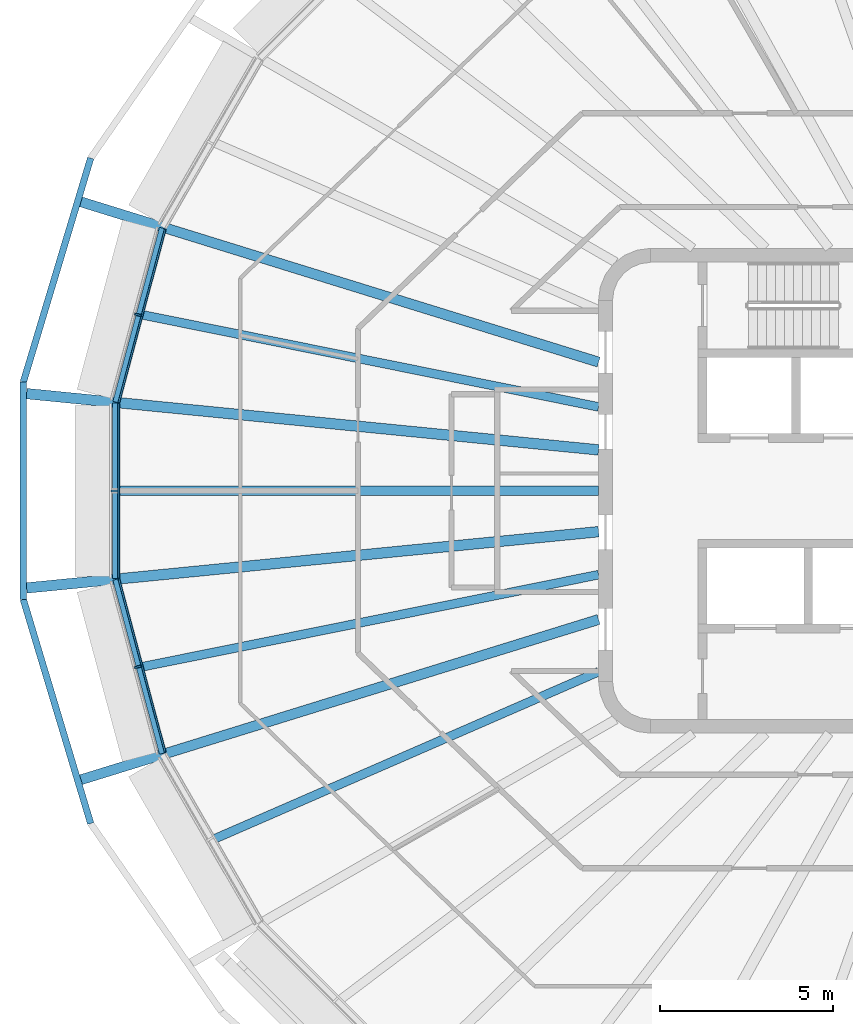
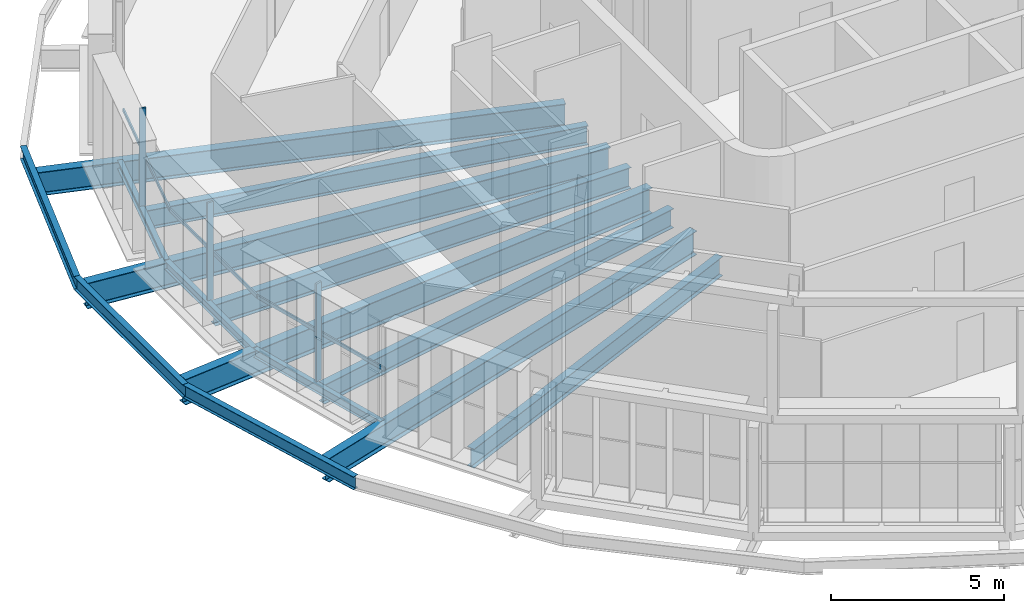
# One storey, part 2 of 18: 14 beams, 6 members, 3 elements without a shape of their own.
"""IFC4 building model written with IfcOpenShell, lengths in metres."""

from ifc_helpers import new_model, si_unit, direction, frame, origin, origin_2d, place, context, subcontext, project, spatial, rectangle, i_section, extrude, material, layer, layer_set, material_profile, profile_set, type_object, element, aggregate, save


model = new_model("IFC4")

# Units and contexts
model_context = context("Model", 3, precision=1e-05, world=origin(), true_north=direction((0.0, 1.0)))
body_context = subcontext(model_context, "Body", "Model", "MODEL_VIEW")
ifc_project = project(units=[si_unit("LENGTHUNIT", "METRE"), si_unit("AREAUNIT", "SQUARE_METRE"), si_unit("VOLUMEUNIT", "CUBIC_METRE"), si_unit("PLANEANGLEUNIT", "RADIAN"), si_unit("MASSUNIT", "GRAM", prefix="KILO")], contexts=[model_context])

# Site, building, storey
site_placement = place(None, origin())
site = spatial("IfcSite", under=ifc_project, at=site_placement, CompositionType="ELEMENT")
building_placement = place(site_placement, origin())
building = spatial("IfcBuilding", under=site, at=building_placement, Name="Sahrelin Media Tower", CompositionType="ELEMENT")
storey_placement = place(building_placement, frame((0.0, 0.0, 308.39990234375)))
storey = spatial("IfcBuildingStorey", under=building, at=storey_placement, Name="L68", CompositionType="ELEMENT", Elevation=308.39990234375)

# Beams
ifc_material_1 = material(Name="Steel S355", Category="steel")
ifc_material_profile_1 = material_profile(ifc_material_1, i_section(OverallWidth=0.1650390625, OverallDepth=0.303466796875, WebThickness=0.006103515625, FlangeThickness=0.01025390625, FilletRadius=0.0087890625, at=origin_2d()), Name="UB 305x165x40")
ifc_profile_set_1 = profile_set([ifc_material_profile_1], Name="Steel S355")
beam_type_1 = type_object("IfcBeamType", Name="Edge beam EB2", PredefinedType="BEAM", material=ifc_profile_set_1)
beam_1_placement = place(storey_placement, frame((-24.598388671875, -7.58642578125, -0.301513671875), z_axis=(-0.258813508265, 0.965927309863, 0.0), x_axis=(-0.965927309863, -0.258813508265, 0.0)))
element("IfcBeam", 1, at=beam_1_placement, inside=storey, type_object=beam_type_1, Name="Edge beam L68-08", PredefinedType="BEAM", context=body_context, shape_type="SweptSolid", body=[
    extrude(i_section(OverallWidth=0.1650390625, OverallDepth=0.303466796875, WebThickness=0.006103515625, FlangeThickness=0.01025390625, FilletRadius=0.0087890625, at=origin_2d()), origin(), (0.0, 0.0, 1.0), 5.201416015625),
])
beam_2_placement = place(storey_placement, frame((-25.948486328125, -2.53369140625, -0.301513671875), z_axis=(0.0, 1.0, 0.0), x_axis=(-1.0, 0.0, 0.0)))
element("IfcBeam", 2, at=beam_2_placement, inside=storey, type_object=beam_type_1, Name="Edge beam L68-09", PredefinedType="BEAM", context=body_context, shape_type="SweptSolid", body=[
    extrude(i_section(OverallWidth=0.1650390625, OverallDepth=0.303466796875, WebThickness=0.006103515625, FlangeThickness=0.01025390625, FilletRadius=0.0087890625, at=origin_2d()), origin(), (0.0, 0.0, 1.0), 5.0673828125),
])
beam_3_placement = place(storey_placement, frame((-25.944580078125, 2.562255859375, -0.301513671875), z_axis=(0.258813508265, 0.965927309863, 0.0), x_axis=(-0.965927309863, 0.258813508265, 0.0)))
element("IfcBeam", 3, at=beam_3_placement, inside=storey, type_object=beam_type_1, Name="Edge beam L68-10", PredefinedType="BEAM", context=body_context, shape_type="SweptSolid", body=[
    extrude(i_section(OverallWidth=0.1650390625, OverallDepth=0.303466796875, WebThickness=0.006103515625, FlangeThickness=0.01025390625, FilletRadius=0.0087890625, at=origin_2d()), origin(), (0.0, 0.0, 1.0), 5.201416015625),
])

# Curtain wall, member
ifc_material_2 = material(Name="Champagne anodised aluminium 6063-T6", Category="aluminium")
ifc_layer = layer(ifc_material_2, 0.14990234375)
ifc_layer_set = layer_set([ifc_layer], Name="Tower ribbon curtain wall")
curtain_wall_type = type_object("IfcCurtainWallType", Name="Tower ribbon curtain wall", PredefinedType="NOTDEFINED", material=ifc_layer_set)
curtain_wall_1_placement = place(storey_placement, frame((-25.41650390625, 5.113037109375, 0.0), z_axis=(0.0, 0.0, 1.0), x_axis=(1.0, 0.0, 0.0)))
curtain_wall_1 = element("IfcCurtainWall", 4, at=curtain_wall_1_placement, inside=storey, type_object=curtain_wall_type, Name="L68:CW:L68-11", PredefinedType="NOTDEFINED")
ifc_material_profile_2 = material_profile(ifc_material_2, rectangle(XDim=0.06005859375, YDim=0.199951171875, at=origin_2d()), Name="Mullion 60x200")
ifc_profile_set_2 = profile_set([ifc_material_profile_2], Name="Champagne anodised aluminium 6063-T6")
member_type_1 = type_object("IfcMemberType", Name="Mullion 60x200 CW1C", PredefinedType="MULLION", material=ifc_profile_set_2)
member_1_placement = place(storey_placement, frame((-25.300537109375, 5.08203125, 0.0), z_axis=(0.0, 0.0, 1.0), x_axis=(-0.258824102675, -0.965924471102, 0.0)))
member_1 = element("IfcMember", 5, at=member_1_placement, type_object=member_type_1, Name="L68:CWM:L68-11", PredefinedType="MULLION", context=body_context, shape_type="SweptSolid", body=[
    extrude(rectangle(XDim=0.06005859375, YDim=0.199951171875, at=origin_2d()), origin(), (0.0, 0.0, 1.0), 3.44873046875),
])

curtain_wall_2_placement = place(storey_placement, frame((-26.098388671875, 0.0, 0.0), z_axis=(0.0, 0.0, 1.0), x_axis=(1.0, 0.0, 0.0)))
curtain_wall_2 = element("IfcCurtainWall", 6, at=curtain_wall_2_placement, inside=storey, type_object=curtain_wall_type, Name="L68:CW:L68-12", PredefinedType="NOTDEFINED")
member_2_placement = place(storey_placement, frame((-25.978515625, 0.0, 0.0), z_axis=(0.0, 0.0, 1.0), x_axis=(0.0, -1.0, 0.0)))
member_2 = element("IfcMember", 7, at=member_2_placement, type_object=member_type_1, Name="L68:CWM:L68-12", PredefinedType="MULLION", context=body_context, shape_type="SweptSolid", body=[
    extrude(rectangle(XDim=0.06005859375, YDim=0.199951171875, at=origin_2d()), origin(), (0.0, 0.0, 1.0), 3.44873046875),
])

curtain_wall_3_placement = place(storey_placement, frame((-25.41650390625, -5.113037109375, 0.0), z_axis=(0.0, 0.0, 1.0), x_axis=(1.0, 0.0, 0.0)))
curtain_wall_3 = element("IfcCurtainWall", 8, at=curtain_wall_3_placement, inside=storey, type_object=curtain_wall_type, Name="L68:CW:L68-13", PredefinedType="NOTDEFINED")
member_3_placement = place(storey_placement, frame((-25.300537109375, -5.08203125, 0.0), z_axis=(0.0, 0.0, 1.0), x_axis=(0.258824102675, -0.965924471102, 0.0)))
member_3 = element("IfcMember", 9, at=member_3_placement, type_object=member_type_1, Name="L68:CWM:L68-13", PredefinedType="MULLION", context=body_context, shape_type="SweptSolid", body=[
    extrude(rectangle(XDim=0.06005859375, YDim=0.199951171875, at=origin_2d()), origin(), (0.0, 0.0, 1.0), 3.44873046875),
])

# Beams
ifc_material_profile_3 = material_profile(ifc_material_1, i_section(OverallWidth=0.291748046875, OverallDepth=0.8349609375, WebThickness=0.013916015625, FlangeThickness=0.018798828125, FilletRadius=0.017822265625, at=origin_2d()), Name="UB 838x292x176")
ifc_profile_set_3 = profile_set([ifc_material_profile_3], Name="Steel S355")
beam_type_2 = type_object("IfcBeamType", Name="Radial primary beam PB10", PredefinedType="BEAM", material=ifc_profile_set_3)
for number, where, z_axis, x_axis, name in (
    (10, (-12.0, 3.71533203125, -0.5673828125), (-0.955257235415, 0.295776290779, 0.0), (-0.295776290779, -0.955257235415, 0.0), "Radial beam L68-11"),
    (11, (-12.0, -3.71533203125, -0.5673828125), (-0.955257235415, -0.295776290779, 0.0), (0.295776290779, -0.955257235415, 0.0), "Radial beam L68-14"),
):
    element("IfcBeam", number, at=place(storey_placement, frame(where, z_axis=z_axis, x_axis=x_axis)), inside=storey, type_object=beam_type_2, Name=name, PredefinedType="BEAM", context=body_context, shape_type="SweptSolid", body=[
        extrude(i_section(OverallWidth=0.291748046875, OverallDepth=0.8349609375, WebThickness=0.013916015625, FlangeThickness=0.018798828125, FilletRadius=0.017822265625, at=origin_2d()), origin(), (0.0, 0.0, 1.0), 15.64501953125),
    ])
ifc_material_profile_4 = material_profile(ifc_material_1, i_section(OverallWidth=0.30322265625, OverallDepth=0.903076171875, WebThickness=0.01513671875, FlangeThickness=0.020263671875, FilletRadius=0.01904296875, at=origin_2d()), Name="UB 914x305x201")
ifc_profile_set_4 = profile_set([ifc_material_profile_4], Name="Steel S355")
beam_type_3 = type_object("IfcBeamType", Name="Radial primary beam PB11", PredefinedType="BEAM", material=ifc_profile_set_4)
for number, where, z_axis, x_axis, name in (
    (12, (-12.0, 1.1806640625, -0.601318359375), (-0.995194121011, 0.097921711106, 0.0), (-0.097921711106, -0.995194121011, 0.0), "Radial beam L68-12"),
    (13, (-12.0, -1.1806640625, -0.601318359375), (-0.995194121011, -0.097921711106, 0.0), (0.097921711106, -0.995194121011, 0.0), "Radial beam L68-13"),
):
    element("IfcBeam", number, at=place(storey_placement, frame(where, z_axis=z_axis, x_axis=x_axis)), inside=storey, type_object=beam_type_3, Name=name, PredefinedType="BEAM", context=body_context, shape_type="SweptSolid", body=[
        extrude(i_section(OverallWidth=0.30322265625, OverallDepth=0.903076171875, WebThickness=0.01513671875, FlangeThickness=0.020263671875, FilletRadius=0.01904296875, at=origin_2d()), origin(), (0.0, 0.0, 1.0), 16.594970703125),
    ])
ifc_material_profile_5 = material_profile(ifc_material_1, i_section(OverallWidth=0.2529296875, OverallDepth=0.677978515625, WebThickness=0.01171875, FlangeThickness=0.01611328125, FilletRadius=0.01513671875, at=origin_2d()), Name="UB 686x254x125")
ifc_profile_set_5 = profile_set([ifc_material_profile_5], Name="Steel S355")
beam_type_4 = type_object("IfcBeamType", Name="Radial secondary beam SB8", PredefinedType="BEAM", material=ifc_profile_set_5)
for number, where, z_axis, x_axis, name in (
    (14, (-12.0, 2.422119140625, -0.489013671875), (-0.980230748131, 0.19785772772, 0.0), (-0.19785772772, -0.980230748131, 0.0), "Secondary beam L68-11"),
    (15, (-12.0, -2.422119140625, -0.489013671875), (-0.980230748131, -0.19785772772, 0.0), (0.19785772772, -0.980230748131, 0.0), "Secondary beam L68-13"),
):
    element("IfcBeam", number, at=place(storey_placement, frame(where, z_axis=z_axis, x_axis=x_axis)), inside=storey, type_object=beam_type_4, Name=name, PredefinedType="BEAM", context=body_context, shape_type="SweptSolid", body=[
        extrude(i_section(OverallWidth=0.2529296875, OverallDepth=0.677978515625, WebThickness=0.01171875, FlangeThickness=0.01611328125, FilletRadius=0.01513671875, at=origin_2d()), origin(), (0.0, 0.0, 1.0), 13.44970703125),
    ])
beam_4_placement = place(storey_placement, frame((-12.0, -5.2236328125, -0.489013671875), z_axis=(-0.916894042518, -0.399130698888, 0.0), x_axis=(0.399130698888, -0.916894042518, 0.0)))
element("IfcBeam", 16, at=beam_4_placement, inside=storey, type_object=beam_type_4, Name="Secondary beam L68-14", PredefinedType="BEAM", context=body_context, shape_type="SweptSolid", body=[
    extrude(i_section(OverallWidth=0.2529296875, OverallDepth=0.677978515625, WebThickness=0.01171875, FlangeThickness=0.01611328125, FilletRadius=0.01513671875, at=origin_2d()), origin(), (0.0, 0.0, 1.0), 12.090576171875),
])
ifc_material_profile_6 = material_profile(ifc_material_1, i_section(OverallWidth=0.26513671875, OverallDepth=0.75390625, WebThickness=0.0126953125, FlangeThickness=0.017578125, FilletRadius=0.0166015625, at=origin_2d()), Name="UB 762x267x147")
ifc_profile_set_6 = profile_set([ifc_material_profile_6], Name="Steel S355")
beam_type_5 = type_object("IfcBeamType", Name="Radial secondary beam SB9", PredefinedType="BEAM", material=ifc_profile_set_6)
beam_5_placement = place(storey_placement, frame((-12.0, 0.0, -0.52685546875), z_axis=(-1.0, 0.0, 0.0), x_axis=(0.0, -1.0, 0.0)))
element("IfcBeam", 17, at=beam_5_placement, inside=storey, type_object=beam_type_5, Name="Secondary beam L68-12", PredefinedType="BEAM", context=body_context, shape_type="SweptSolid", body=[
    extrude(i_section(OverallWidth=0.26513671875, OverallDepth=0.75390625, WebThickness=0.0126953125, FlangeThickness=0.017578125, FilletRadius=0.0166015625, at=origin_2d()), origin(), (0.0, 0.0, 1.0), 13.865966796875),
])
ifc_material_profile_7 = material_profile(ifc_material_1, i_section(OverallWidth=0.1904296875, OverallDepth=0.45703125, WebThickness=0.009033203125, FlangeThickness=0.014404296875, FilletRadius=0.01025390625, at=origin_2d()), Name="UB 457x191x74")
ifc_profile_set_7 = profile_set([ifc_material_profile_7], Name="Steel S355")
beam_type_6 = type_object("IfcBeamType", Name="Tie chord TC5", PredefinedType="BEAM", material=ifc_profile_set_7)
beam_6_placement = place(storey_placement, frame((-26.664306640625, 9.606689453125, -0.37841796875), z_axis=(-0.287994186916, -0.957632157095, 0.0), x_axis=(0.957632157095, -0.287994186916, 0.0)))
element("IfcBeam", 18, at=beam_6_placement, inside=storey, type_object=beam_type_6, Name="Tie chord L68-11", PredefinedType="BEAM", context=body_context, shape_type="SweptSolid", body=[
    extrude(i_section(OverallWidth=0.1904296875, OverallDepth=0.45703125, WebThickness=0.009033203125, FlangeThickness=0.014404296875, FilletRadius=0.01025390625, at=origin_2d()), origin(), (0.0, 0.0, 1.0), 6.75732421875),
])
beam_7_placement = place(storey_placement, frame((-28.6103515625, 3.1357421875, -0.37841796875), z_axis=(0.0, -1.0, 0.0), x_axis=(1.0, 0.0, 0.0)))
element("IfcBeam", 19, at=beam_7_placement, inside=storey, type_object=beam_type_6, Name="Tie chord L68-12", PredefinedType="BEAM", context=body_context, shape_type="SweptSolid", body=[
    extrude(i_section(OverallWidth=0.1904296875, OverallDepth=0.45703125, WebThickness=0.009033203125, FlangeThickness=0.014404296875, FilletRadius=0.01025390625, at=origin_2d()), origin(), (0.0, 0.0, 1.0), 6.271484375),
])
beam_8_placement = place(storey_placement, frame((-28.6103515625, -3.1357421875, -0.37841796875), z_axis=(0.287994186916, -0.957632157095, 0.0), x_axis=(0.957632157095, 0.287994186916, 0.0)))
element("IfcBeam", 20, at=beam_8_placement, inside=storey, type_object=beam_type_6, Name="Tie chord L68-13", PredefinedType="BEAM", context=body_context, shape_type="SweptSolid", body=[
    extrude(i_section(OverallWidth=0.1904296875, OverallDepth=0.45703125, WebThickness=0.009033203125, FlangeThickness=0.014404296875, FilletRadius=0.01025390625, at=origin_2d()), origin(), (0.0, 0.0, 1.0), 6.75732421875),
])

# Member
ifc_material_profile_8 = material_profile(ifc_material_2, rectangle(XDim=0.050048828125, YDim=0.1201171875, at=origin_2d()), Name="Transom 50x120")
ifc_profile_set_8 = profile_set([ifc_material_profile_8], Name="Champagne anodised aluminium 6063-T6")
member_type_2 = type_object("IfcMemberType", Name="Transom 50x120 CW1C", PredefinedType="USERDEFINED", material=ifc_profile_set_8)
member_4_placement = place(storey_placement, frame((-24.5107421875, 7.546630859375, 1.60009765625), z_axis=(-0.258823418752, -0.965924654363, 0.0), x_axis=(0.965924654363, -0.258823418752, 0.0)))
member_4 = element("IfcMember", 21, at=member_4_placement, type_object=member_type_2, Name="L68:CWT:L68-11", ObjectType="TRANSOM", PredefinedType="USERDEFINED", context=body_context, shape_type="SweptSolid", body=[
    extrude(rectangle(XDim=0.050048828125, YDim=0.1201171875, at=origin_2d()), origin(), (0.0, 0.0, 1.0), 5.170166015625),
])

aggregate(curtain_wall_1, [member_1, member_4])

member_5_placement = place(storey_placement, frame((-25.853515625, 2.517822265625, 1.60009765625), z_axis=(0.0, -1.0, 0.0), x_axis=(1.0, 0.0, 0.0)))
member_5 = element("IfcMember", 22, at=member_5_placement, type_object=member_type_2, Name="L68:CWT:L68-12", ObjectType="TRANSOM", PredefinedType="USERDEFINED", context=body_context, shape_type="SweptSolid", body=[
    extrude(rectangle(XDim=0.050048828125, YDim=0.1201171875, at=origin_2d()), origin(), (0.0, 0.0, 1.0), 5.03564453125),
])

aggregate(curtain_wall_2, [member_2, member_5])

member_6_placement = place(storey_placement, frame((-25.848876953125, -2.552734375, 1.60009765625), z_axis=(0.258823418752, -0.965924654363, 0.0), x_axis=(0.965924654363, 0.258823418752, 0.0)))
member_6 = element("IfcMember", 23, at=member_6_placement, type_object=member_type_2, Name="L68:CWT:L68-13", ObjectType="TRANSOM", PredefinedType="USERDEFINED", context=body_context, shape_type="SweptSolid", body=[
    extrude(rectangle(XDim=0.050048828125, YDim=0.1201171875, at=origin_2d()), origin(), (0.0, 0.0, 1.0), 5.170166015625),
])

aggregate(curtain_wall_3, [member_3, member_6])

save(model, "model.ifc")
